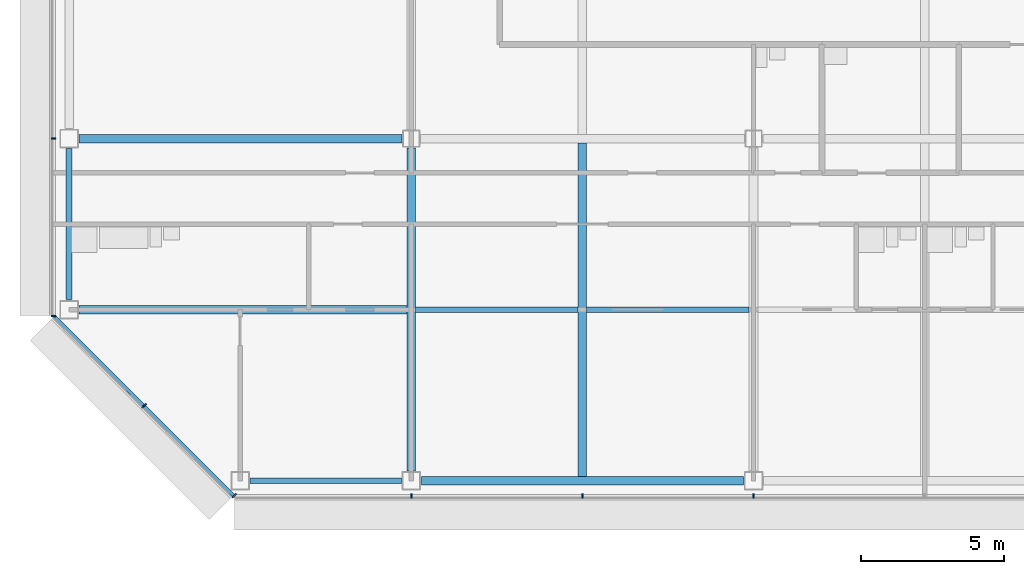
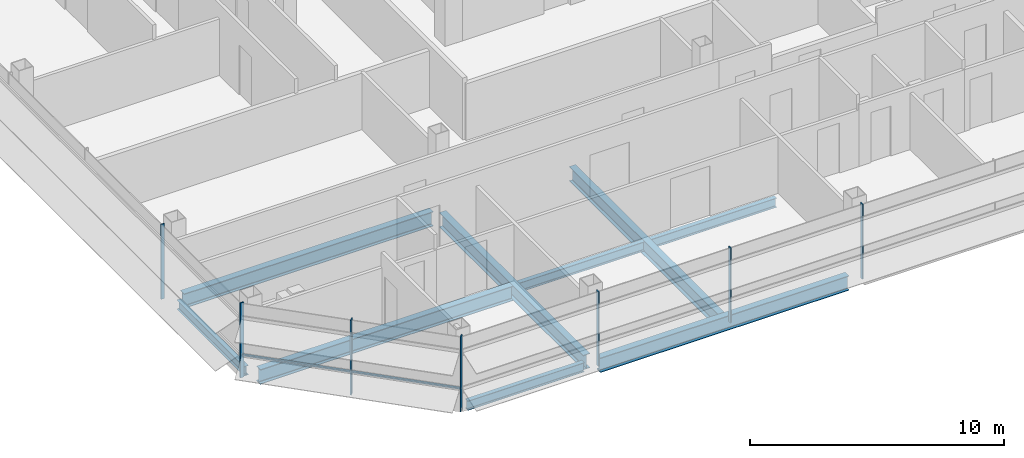
# One storey, part 2 of 29: 9 beams, 8 members, 3 elements without a shape of their own.
"""IFC4 building model written with IfcOpenShell, lengths in metres."""

from ifc_helpers import new_model, si_unit, direction, frame, origin, origin_2d, place, context, subcontext, project, spatial, rectangle, i_section, extrude, material, material_profile, profile_set, type_object, element, aggregate, save


model = new_model("IFC4")

# Units and contexts
model_context = context("Model", 3, precision=1e-05, world=origin(), true_north=direction((0.0, 1.0)))
body_context = subcontext(model_context, "Body", "Model", "MODEL_VIEW")
ifc_project = project(units=[si_unit("LENGTHUNIT", "METRE"), si_unit("AREAUNIT", "SQUARE_METRE"), si_unit("VOLUMEUNIT", "CUBIC_METRE"), si_unit("PLANEANGLEUNIT", "RADIAN"), si_unit("MASSUNIT", "GRAM", prefix="KILO")], contexts=[model_context])

# Site, building, storey
site_placement = place(None, origin())
site = spatial("IfcSite", under=ifc_project, at=site_placement, CompositionType="ELEMENT")
building_placement = place(site_placement, origin())
building = spatial("IfcBuilding", under=site, at=building_placement, Name="Sorahane Residences", CompositionType="ELEMENT")
storey_placement = place(building_placement, frame((0.0, 0.0, 199.199951171875)))
storey = spatial("IfcBuildingStorey", under=building, at=storey_placement, Name="L46", CompositionType="ELEMENT", Elevation=199.199951171875)

# Curtain wall, members
ifc_material_1 = material(Name="Dark low-e glass and black anodised aluminium", Category="aluminium")
curtain_wall_type_1 = type_object("IfcCurtainWallType", Name="Curtain wall CW-1 Typical unitised wall", PredefinedType="NOTDEFINED", material=ifc_material_1)
curtain_wall_1_placement = place(storey_placement, origin())
curtain_wall_1 = element("IfcCurtainWall", 1, at=curtain_wall_1_placement, inside=storey, type_object=curtain_wall_type_1, Name="CW-1 curtain wall L46 W1", PredefinedType="NOTDEFINED")
ifc_material_2 = material(Name="Black anodised aluminium", Category="aluminium")
ifc_material_profile_1 = material_profile(ifc_material_2, rectangle(XDim=0.159912109375, YDim=0.050048828125, at=origin_2d()), Name="Curtain wall mullion CW-1 black anodised aluminium 50x160")
ifc_profile_set_1 = profile_set([ifc_material_profile_1], Name="Black anodised aluminium")
member_type_1 = type_object("IfcMemberType", Name="Curtain wall mullion CW-1 black anodised aluminium 50x160", PredefinedType="MULLION", material=ifc_profile_set_1)
member_1_placement = place(storey_placement, frame((-12.5400390625, 12.0, -0.179931640625), z_axis=(0.0, 0.0, 1.0), x_axis=(-1.0, 0.0, 0.0)))
member_1 = element("IfcMember", 2, at=member_1_placement, type_object=member_type_1, Name="CW-1 mullion L46 W1.6", PredefinedType="MULLION", context=body_context, shape_type="SweptSolid", body=[
    extrude(rectangle(XDim=0.159912109375, YDim=0.050048828125, at=origin_2d()), origin(), (0.0, 0.0, 1.0), 3.60009765625),
])
member_2_placement = place(storey_placement, frame((-12.5400390625, 5.7763671875, -0.179931640625), z_axis=(0.0, 0.0, 1.0), x_axis=(-1.0, 0.0, 0.0)))
member_2 = element("IfcMember", 3, at=member_2_placement, type_object=member_type_1, Name="CW-1 mullion L46 W1.7", PredefinedType="MULLION", context=body_context, shape_type="SweptSolid", body=[
    extrude(rectangle(XDim=0.159912109375, YDim=0.050048828125, at=origin_2d()), origin(), (0.0, 0.0, 1.0), 3.60009765625),
])
aggregate(curtain_wall_1, [member_1, member_2])

curtain_wall_2_placement = place(storey_placement, origin())
curtain_wall_2 = element("IfcCurtainWall", 4, at=curtain_wall_2_placement, inside=storey, type_object=curtain_wall_type_1, Name="CW-1 curtain wall L46 S1", PredefinedType="NOTDEFINED")
member_3_placement = place(storey_placement, frame((0.0, -0.5400390625, -0.179931640625), z_axis=(0.0, 0.0, 1.0), x_axis=(0.0, -1.0, 0.0)))
member_3 = element("IfcMember", 5, at=member_3_placement, type_object=member_type_1, Name="CW-1 mullion L46 S1.2", PredefinedType="MULLION", context=body_context, shape_type="SweptSolid", body=[
    extrude(rectangle(XDim=0.159912109375, YDim=0.050048828125, at=origin_2d()), origin(), (0.0, 0.0, 1.0), 3.60009765625),
])
member_4_placement = place(storey_placement, frame((6.0, -0.5400390625, -0.179931640625), z_axis=(0.0, 0.0, 1.0), x_axis=(0.0, -1.0, 0.0)))
member_4 = element("IfcMember", 6, at=member_4_placement, type_object=member_type_1, Name="CW-1 mullion L46 S1.3", PredefinedType="MULLION", context=body_context, shape_type="SweptSolid", body=[
    extrude(rectangle(XDim=0.159912109375, YDim=0.050048828125, at=origin_2d()), origin(), (0.0, 0.0, 1.0), 3.60009765625),
])
member_5_placement = place(storey_placement, frame((12.0, -0.5400390625, -0.179931640625), z_axis=(0.0, 0.0, 1.0), x_axis=(0.0, -1.0, 0.0)))
member_5 = element("IfcMember", 7, at=member_5_placement, type_object=member_type_1, Name="CW-1 mullion L46 S1.4", PredefinedType="MULLION", context=body_context, shape_type="SweptSolid", body=[
    extrude(rectangle(XDim=0.159912109375, YDim=0.050048828125, at=origin_2d()), origin(), (0.0, 0.0, 1.0), 3.60009765625),
])
aggregate(curtain_wall_2, [member_3, member_4, member_5])

ifc_material_3 = material(Name="Dark low-e glass and black anodised aluminium", Category="aluminium")
curtain_wall_type_2 = type_object("IfcCurtainWallType", Name="Curtain wall CW-2 Chamfer unitised wall", PredefinedType="NOTDEFINED", material=ifc_material_3)
curtain_wall_3_placement = place(storey_placement, origin())
curtain_wall_3 = element("IfcCurtainWall", 8, at=curtain_wall_3_placement, inside=storey, type_object=curtain_wall_type_2, Name="CW-2 curtain wall L46 SW1", PredefinedType="NOTDEFINED")
ifc_material_4 = material(Name="Black anodised aluminium", Category="aluminium")
ifc_material_profile_2 = material_profile(ifc_material_4, rectangle(XDim=0.199951171875, YDim=0.050048828125, at=origin_2d()), Name="Curtain wall mullion CW-2 black anodised aluminium 50x200")
ifc_profile_set_2 = profile_set([ifc_material_profile_2], Name="Black anodised aluminium")
member_type_2 = type_object("IfcMemberType", Name="Curtain wall mullion CW-2 black anodised aluminium 50x200", PredefinedType="MULLION", material=ifc_profile_set_2)
member_6_placement = place(storey_placement, frame((-9.36767578125, 2.63232421875, -0.179931640625), z_axis=(0.0, 0.0, 1.0), x_axis=(-0.707106781187, -0.707106781187, 0.0)))
member_6 = element("IfcMember", 9, at=member_6_placement, type_object=member_type_2, Name="CW-2 mullion L46 SW1.2", PredefinedType="MULLION", context=body_context, shape_type="SweptSolid", body=[
    extrude(rectangle(XDim=0.199951171875, YDim=0.050048828125, at=origin_2d()), origin(), (0.0, 0.0, 1.0), 3.60009765625),
])
member_7_placement = place(storey_placement, frame((-6.209716796875, -0.525634765625, -0.179931640625), z_axis=(0.0, 0.0, 1.0), x_axis=(-0.707106781187, -0.707106781187, 0.0)))
member_7 = element("IfcMember", 10, at=member_7_placement, type_object=member_type_2, Name="CW-2 mullion L46 SW1.3", PredefinedType="MULLION", context=body_context, shape_type="SweptSolid", body=[
    extrude(rectangle(XDim=0.199951171875, YDim=0.050048828125, at=origin_2d()), origin(), (0.0, 0.0, 1.0), 3.60009765625),
])
ifc_material_5 = material(Name="Black anodised aluminium", Category="aluminium")
ifc_material_profile_3 = material_profile(ifc_material_5, rectangle(XDim=0.10009765625, YDim=0.06005859375, at=origin_2d()), Name="Curtain wall transom CW-2 black anodised aluminium 60x100")
ifc_profile_set_3 = profile_set([ifc_material_profile_3], Name="Black anodised aluminium")
member_type_3 = type_object("IfcMemberType", Name="Curtain wall transom CW-2 black anodised aluminium 60x100", PredefinedType="USERDEFINED", material=ifc_profile_set_3)
member_8_placement = place(storey_placement, frame((-12.51513671875, 5.765625, 0.900146484375), z_axis=(0.707106781187, -0.707106781187, 0.0), x_axis=(0.707106781187, 0.707106781187, 0.0)))
member_8 = element("IfcMember", 11, at=member_8_placement, type_object=member_type_3, Name="CW-2 transom L46 SW1", ObjectType="TRANSOM", PredefinedType="USERDEFINED", context=body_context, shape_type="SweptSolid", body=[
    extrude(rectangle(XDim=0.10009765625, YDim=0.06005859375, at=origin_2d()), origin(), (0.0, 0.0, 1.0), 8.88232421875),
])
aggregate(curtain_wall_3, [member_6, member_7, member_8])

# Beams
ifc_material_6 = material(Name="Steel Q355B", Category="steel")
ifc_material_profile_4 = material_profile(ifc_material_6, i_section(OverallWidth=0.199951171875, OverallDepth=0.449951171875, WebThickness=0.009033203125, FlangeThickness=0.013916015625, FilletRadius=0.02001953125, at=origin_2d()), Name="HN 450x200x9x14")
ifc_profile_set_4 = profile_set([ifc_material_profile_4], Name="Steel Q355B")
beam_type_1 = type_object("IfcBeamType", Name="Steel floor beam HN 450x200x9x14 Q355B", PredefinedType="BEAM", material=ifc_profile_set_4)
for number, where, z_axis, x_axis, name in (
    (12, (-5.64990234375, 0.0, -0.405029296875), (1.0, 0.0, 0.0), (0.0, 1.0, 0.0), "Beam L46 000"),
    (13, (-12.0, 6.35009765625, -0.405029296875), (0.0, 1.0, 0.0), (-1.0, 0.0, 0.0), "Beam L46 019"),
):
    element("IfcBeam", number, at=place(storey_placement, frame(where, z_axis=z_axis, x_axis=x_axis)), inside=storey, type_object=beam_type_1, Name=name, PredefinedType="BEAM", context=body_context, shape_type="SweptSolid", body=[
        extrude(i_section(OverallWidth=0.199951171875, OverallDepth=0.449951171875, WebThickness=0.009033203125, FlangeThickness=0.013916015625, FilletRadius=0.02001953125, at=origin_2d()), origin(), (0.0, 0.0, 1.0), 5.2998046875),
    ])
for number, where, z_axis, x_axis, name in (
    (14, (0.14990234375, 6.0, -0.405029296875), (1.0, 0.0, 0.0), (0.0, 1.0, 0.0), "Beam L46 066"),
    (15, (6.14990234375, 6.0, -0.405029296875), (1.0, 0.0, 0.0), (0.0, 1.0, 0.0), "Beam L46 067"),
):
    element("IfcBeam", number, at=place(storey_placement, frame(where, z_axis=z_axis, x_axis=x_axis)), inside=storey, type_object=beam_type_1, Name=name, PredefinedType="BEAM", context=body_context, shape_type="SweptSolid", body=[
        extrude(i_section(OverallWidth=0.199951171875, OverallDepth=0.449951171875, WebThickness=0.009033203125, FlangeThickness=0.013916015625, FilletRadius=0.02001953125, at=origin_2d()), origin(), (0.0, 0.0, 1.0), 5.7001953125),
    ])
ifc_material_7 = material(Name="Steel Q355B", Category="steel")
ifc_material_profile_5 = material_profile(ifc_material_7, i_section(OverallWidth=0.300048828125, OverallDepth=0.699951171875, WebThickness=0.012939453125, FlangeThickness=0.02392578125, FilletRadius=0.028076171875, at=origin_2d()), Name="HN 700x300x13x24")
ifc_profile_set_5 = profile_set([ifc_material_profile_5], Name="Steel Q355B")
beam_type_2 = type_object("IfcBeamType", Name="Steel floor beam HN 700x300x13x24 Q355B", PredefinedType="BEAM", material=ifc_profile_set_5)
beam_1_placement = place(storey_placement, frame((0.35009765625, 0.0, -0.530029296875), z_axis=(1.0, 0.0, 0.0), x_axis=(0.0, 1.0, 0.0)))
element("IfcBeam", 16, at=beam_1_placement, inside=storey, type_object=beam_type_2, Name="Beam L46 001", PredefinedType="BEAM", context=body_context, shape_type="SweptSolid", body=[
    extrude(i_section(OverallWidth=0.300048828125, OverallDepth=0.699951171875, WebThickness=0.012939453125, FlangeThickness=0.02392578125, FilletRadius=0.028076171875, at=origin_2d()), origin(), (0.0, 0.0, 1.0), 11.2998046875),
])
for number, where, z_axis, x_axis, name in (
    (17, (-11.64990234375, 12.0, -0.530029296875), (1.0, 0.0, 0.0), (0.0, 1.0, 0.0), "Beam L46 005"),
    (18, (0.0, 0.35009765625, -0.530029296875), (0.0, 1.0, 0.0), (-1.0, 0.0, 0.0), "Beam L46 023"),
):
    element("IfcBeam", number, at=place(storey_placement, frame(where, z_axis=z_axis, x_axis=x_axis)), inside=storey, type_object=beam_type_2, Name=name, PredefinedType="BEAM", context=body_context, shape_type="SweptSolid", body=[
        extrude(i_section(OverallWidth=0.300048828125, OverallDepth=0.699951171875, WebThickness=0.012939453125, FlangeThickness=0.02392578125, FilletRadius=0.028076171875, at=origin_2d()), origin(), (0.0, 0.0, 1.0), 11.324951171875),
    ])
beam_2_placement = place(storey_placement, frame((6.0, 0.14990234375, -0.530029296875), z_axis=(0.0, 1.0, 0.0), x_axis=(-1.0, 0.0, 0.0)))
element("IfcBeam", 19, at=beam_2_placement, inside=storey, type_object=beam_type_2, Name="Beam L46 027", PredefinedType="BEAM", context=body_context, shape_type="SweptSolid", body=[
    extrude(i_section(OverallWidth=0.300048828125, OverallDepth=0.699951171875, WebThickness=0.012939453125, FlangeThickness=0.02392578125, FilletRadius=0.028076171875, at=origin_2d()), origin(), (0.0, 0.0, 1.0), 11.7001953125),
])
beam_3_placement = place(storey_placement, frame((-11.64990234375, 6.0, -0.530029296875), z_axis=(1.0, 0.0, 0.0), x_axis=(0.0, 1.0, 0.0)))
element("IfcBeam", 20, at=beam_3_placement, inside=storey, type_object=beam_type_2, Name="Beam L46 065", PredefinedType="BEAM", context=body_context, shape_type="SweptSolid", body=[
    extrude(i_section(OverallWidth=0.300048828125, OverallDepth=0.699951171875, WebThickness=0.012939453125, FlangeThickness=0.02392578125, FilletRadius=0.028076171875, at=origin_2d()), origin(), (0.0, 0.0, 1.0), 11.5),
])

save(model, "model.ifc")
